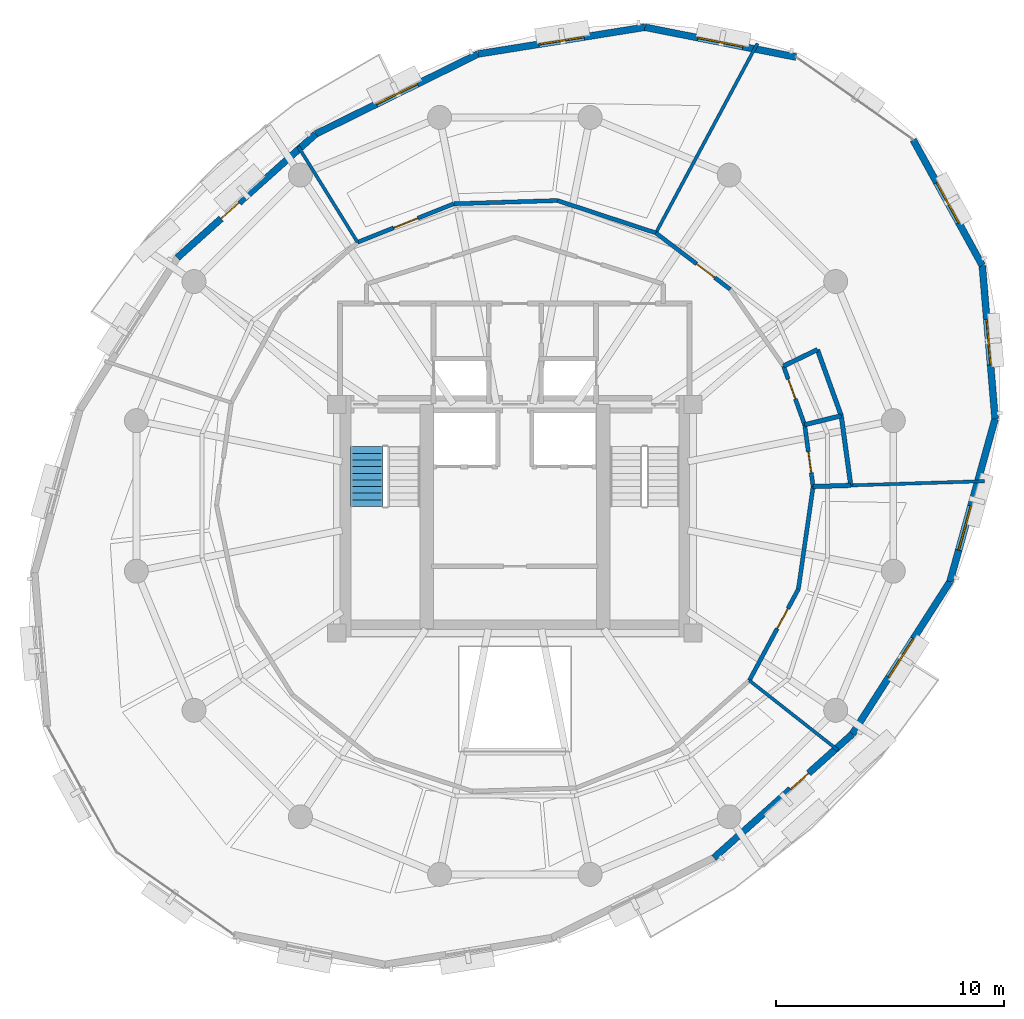
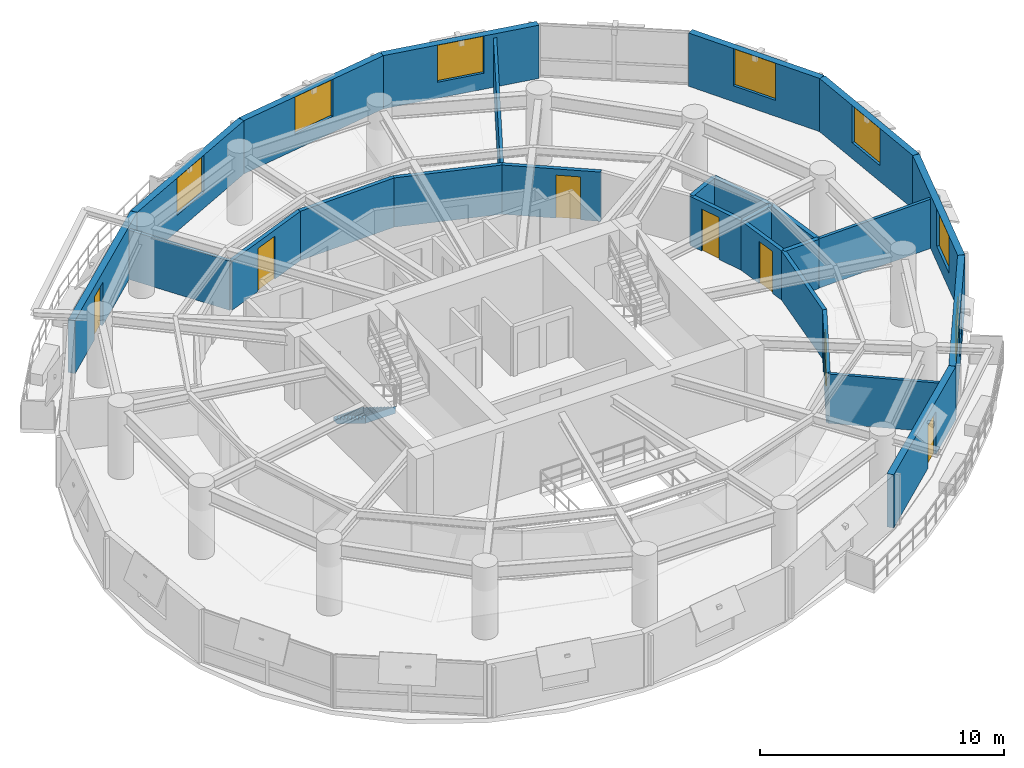
# One storey, part 9 of 12: 26 walls, 7 doors, 7 windows, 1 stair flight, 14 openings, 1 element without a shape of its own.
"""IFC4 building model written with IfcOpenShell, lengths in metres."""

from ifc_helpers import new_model, si_unit, direction, frame, frame_2d, origin, place, context, subcontext, project, spatial, polyline, rectangle, outline, extrude, material, layer, layer_set, type_object, element, fill, aggregate, save


model = new_model("IFC4")

# Units and contexts
model_context = context("Model", 3, precision=1e-05, world=origin(), true_north=direction((0.0, 1.0)))
body_context = subcontext(model_context, "Body", "Model", "MODEL_VIEW")
ifc_project = project(units=[si_unit("LENGTHUNIT", "METRE"), si_unit("AREAUNIT", "SQUARE_METRE"), si_unit("VOLUMEUNIT", "CUBIC_METRE"), si_unit("PLANEANGLEUNIT", "RADIAN"), si_unit("MASSUNIT", "GRAM", prefix="KILO"), si_unit("THERMODYNAMICTEMPERATUREUNIT", "KELVIN"), si_unit("POWERUNIT", "WATT")], contexts=[model_context])

# Site, building, storey
site_placement = place(None, origin())
site = spatial("IfcSite", under=ifc_project, at=site_placement, CompositionType="ELEMENT")
building_placement = place(site_placement, origin())
building = spatial("IfcBuilding", under=site, at=building_placement, Name="Ocrelia Relay Tower", CompositionType="ELEMENT")
storey_placement = place(building_placement, frame((0.0, 0.0, 206.0)))
storey = spatial("IfcBuildingStorey", under=building, at=storey_placement, Name="L50", CompositionType="ELEMENT", Elevation=206.0)

# Wall, opening, door
ifc_material_1 = material(Name="Gypsum Fireboard Partition EI60", Category="gypsum")
ifc_layer_1 = layer(ifc_material_1, 0.179931640625, Name="Gypsum Fireboard Partition EI60")
ifc_layer_set_1 = layer_set([ifc_layer_1], Name="Gypsum Fireboard Partition EI60")
wall_type_1 = type_object("IfcWallType", Name="W-CORR-EI60-180", PredefinedType="PARTITIONING", material=ifc_layer_set_1)
wall_1_placement = place(storey_placement, frame((47.063720703125, 26.410400390625, 0.0), z_axis=(0.0, 0.0, 1.0), x_axis=(-0.135802915103, 0.990735872092, 0.0)))
wall_1 = element("IfcWall", 1, at=wall_1_placement, inside=storey, type_object=wall_type_1, Name="L50 Staff Toilet Corridor Wall", PredefinedType="PARTITIONING", context=body_context, shape_type="SweptSolid", body=[
    extrude(rectangle(XDim=2.732666015625, YDim=0.179931640625, at=frame_2d((1.3662109375, 0.0))), origin(), (0.0, 0.0, 1.0), 2.4599609375),
])
opening_1_placement = place(wall_1_placement, frame((0.61572265625, 0.0, 0.0)))
opening_1 = element("IfcOpeningElement", 2, at=opening_1_placement, cuts=wall_1, Name="Opening D-WC92", PredefinedType="OPENING", context=body_context, shape_type="SweptSolid", body=[
    extrude(rectangle(XDim=0.919921875, YDim=2.10009765625, at=frame_2d((0.4599609375, 1.050048828125))), frame((0.0, 0.10009765625, 0.0), z_axis=(0.0, -1.0, 0.0), x_axis=(1.0, 0.0, 0.0)), (0.0, 0.0, 1.0), 0.199951171875),
])
ifc_material_2 = material(Name="Laminate washroom door", Category="wood")
door_type_1 = type_object("IfcDoorType", Name="DR-WC-920", OperationType="NOTDEFINED", PredefinedType="DOOR", material=ifc_material_2)
door_1_placement = place(opening_1_placement, origin())
door_1 = element("IfcDoor", 3, at=door_1_placement, inside=storey, type_object=door_type_1, Name="L50 Staff Toilet Door", OperationType="SINGLE_SWING_RIGHT", OverallHeight=2.10009765625, OverallWidth=0.919921875, PredefinedType="DOOR", context=body_context, shape_type="SweptSolid", body=[
    extrude(rectangle(XDim=0.919921875, YDim=2.10009765625, at=frame_2d((0.4599609375, 1.050048828125))), frame((0.0, 0.02490234375, 0.0), z_axis=(0.0, -1.0, 0.0), x_axis=(1.0, 0.0, 0.0)), (0.0, 0.0, 1.0), 0.050048828125),
])
fill(opening_1, door_1)

wall_2_placement = place(storey_placement, frame((46.692626953125, 29.11767578125, 0.0), z_axis=(0.0, 0.0, 1.0), x_axis=(-0.338735288425, 0.940881716464, 0.0)))
wall_2 = element("IfcWall", 4, at=wall_2_placement, inside=storey, type_object=wall_type_1, Name="L50 Accessible Toilet Corridor Wall", PredefinedType="PARTITIONING", context=body_context, shape_type="SweptSolid", body=[
    extrude(rectangle(XDim=2.732421875, YDim=0.179931640625, at=frame_2d((1.3662109375, 0.0))), origin(), (0.0, 0.0, 1.0), 2.4599609375),
])
opening_2_placement = place(wall_2_placement, frame((1.19677734375, 0.0, 0.0)))
opening_2 = element("IfcOpeningElement", 5, at=opening_2_placement, cuts=wall_2, Name="Opening D-WC92", PredefinedType="OPENING", context=body_context, shape_type="SweptSolid", body=[
    extrude(rectangle(XDim=0.919921875, YDim=2.10009765625, at=frame_2d((0.4599609375, 1.050048828125))), frame((0.0, 0.10009765625, 0.0), z_axis=(0.0, -1.0, 0.0), x_axis=(1.0, 0.0, 0.0)), (0.0, 0.0, 1.0), 0.199951171875),
])
door_2_placement = place(opening_2_placement, origin())
door_2 = element("IfcDoor", 6, at=door_2_placement, inside=storey, type_object=door_type_1, Name="L50 Accessible Toilet Door", OperationType="SINGLE_SWING_LEFT", OverallHeight=2.10009765625, OverallWidth=0.919921875, PredefinedType="DOOR", context=body_context, shape_type="SweptSolid", body=[
    extrude(rectangle(XDim=0.919921875, YDim=2.10009765625, at=frame_2d((0.4599609375, 1.050048828125))), frame((0.0, 0.02490234375, 0.0), z_axis=(0.0, -1.0, 0.0), x_axis=(1.0, 0.0, 0.0)), (0.0, 0.0, 1.0), 0.050048828125),
])
fill(opening_2, door_2)

wall_3_placement = place(storey_placement, frame((43.433349609375, 35.04638671875, 0.0), z_axis=(0.0, 0.0, 1.0), x_axis=(-0.796540561183, 0.604585092762, 0.0)))
wall_3 = element("IfcWall", 7, at=wall_3_placement, inside=storey, type_object=wall_type_1, Name="L50 Equipment Staging Store Corridor Partition 2", PredefinedType="PARTITIONING", context=body_context, shape_type="SweptSolid", body=[
    extrude(rectangle(XDim=4.089111328125, YDim=0.179931640625, at=frame_2d((2.04443359375, 0.0))), origin(), (0.0, 0.0, 1.0), 2.4599609375),
])
opening_3_placement = place(wall_3_placement, frame((0.847412109375, 0.0, 0.0)))
opening_3 = element("IfcOpeningElement", 8, at=opening_3_placement, cuts=wall_3, Name="Opening D-RM100", PredefinedType="OPENING", context=body_context, shape_type="SweptSolid", body=[
    extrude(rectangle(XDim=1.0, YDim=2.14990234375, at=frame_2d((0.5, 1.074951171875))), frame((0.0, 0.10009765625, 0.0), z_axis=(0.0, -1.0, 0.0), x_axis=(1.0, 0.0, 0.0)), (0.0, 0.0, 1.0), 0.199951171875),
])
ifc_material_3 = material(Name="Acoustic oak veneer fire door", Category="wood")
door_type_2 = type_object("IfcDoorType", Name="DR-ROOM-FD60-1000", OperationType="NOTDEFINED", PredefinedType="DOOR", material=ifc_material_3)
door_3_placement = place(opening_3_placement, origin())
door_3 = element("IfcDoor", 9, at=door_3_placement, inside=storey, type_object=door_type_2, Name="L50 Equipment Staging Store Entrance Door", OperationType="SINGLE_SWING_RIGHT", OverallHeight=2.14990234375, OverallWidth=1.0, PredefinedType="DOOR", context=body_context, shape_type="SweptSolid", body=[
    extrude(rectangle(XDim=1.0, YDim=2.14990234375, at=frame_2d((0.5, 1.074951171875))), frame((0.0, 0.02490234375, 0.0), z_axis=(0.0, -1.0, 0.0), x_axis=(1.0, 0.0, 0.0)), (0.0, 0.0, 1.0), 0.050048828125),
])
fill(opening_3, door_3)

# Walls
wall_4_placement = place(storey_placement, frame((40.17626953125, 37.5185546875, 0.0), z_axis=(0.0, 0.0, 1.0), x_axis=(-0.949971574886, 0.312336368212, 0.0)))
element("IfcWall", 10, at=wall_4_placement, inside=storey, type_object=wall_type_1, Name="L50 Cloud Engineering Workspace Corridor Partition 1", PredefinedType="PARTITIONING", context=body_context, shape_type="SweptSolid", body=[
    extrude(rectangle(XDim=4.5390625, YDim=0.179931640625, at=frame_2d((2.26953125, 0.0))), origin(), (0.0, 0.0, 1.0), 2.4599609375),
])
wall_5_placement = place(storey_placement, frame((35.8642578125, 38.936279296875, 0.0), z_axis=(0.0, 0.0, 1.0), x_axis=(-0.999506603808, -0.031409376702, 0.0)))
element("IfcWall", 11, at=wall_5_placement, inside=storey, type_object=wall_type_1, Name="L50 Cloud Engineering Workspace Corridor Partition 2", PredefinedType="PARTITIONING", context=body_context, shape_type="SweptSolid", body=[
    extrude(rectangle(XDim=4.539306640625, YDim=0.179931640625, at=frame_2d((2.26953125, 0.0))), origin(), (0.0, 0.0, 1.0), 2.4599609375),
])

# Wall, opening, door
wall_6_placement = place(storey_placement, frame((31.3271484375, 38.793701171875, 0.0), z_axis=(0.0, 0.0, 1.0), x_axis=(-0.928491528262, -0.371353580763, 0.0)))
wall_6 = element("IfcWall", 12, at=wall_6_placement, inside=storey, type_object=wall_type_1, Name="L50 Cloud Engineering Workspace Corridor Partition 3", PredefinedType="PARTITIONING", context=body_context, shape_type="SweptSolid", body=[
    extrude(rectangle(XDim=4.538818359375, YDim=0.179931640625, at=frame_2d((2.26953125, 0.0))), origin(), (0.0, 0.0, 1.0), 2.4599609375),
])
opening_4_placement = place(wall_6_placement, frame((1.694580078125, 0.0, 0.0)))
opening_4 = element("IfcOpeningElement", 13, at=opening_4_placement, cuts=wall_6, Name="Opening D-RM115", PredefinedType="OPENING", context=body_context, shape_type="SweptSolid", body=[
    extrude(rectangle(XDim=1.14990234375, YDim=2.14990234375, at=frame_2d((0.574951171875, 1.074951171875))), frame((0.0, 0.10009765625, 0.0), z_axis=(0.0, -1.0, 0.0), x_axis=(1.0, 0.0, 0.0)), (0.0, 0.0, 1.0), 0.199951171875),
])
ifc_material_4 = material(Name="Wide acoustic oak veneer fire door", Category="wood")
door_type_3 = type_object("IfcDoorType", Name="DR-ROOM-1150", OperationType="NOTDEFINED", PredefinedType="DOOR", material=ifc_material_4)
door_4_placement = place(opening_4_placement, origin())
door_4 = element("IfcDoor", 14, at=door_4_placement, inside=storey, type_object=door_type_3, Name="L50 Cloud Engineering Workspace Entrance Door", OperationType="SINGLE_SWING_LEFT", OverallHeight=2.14990234375, OverallWidth=1.14990234375, PredefinedType="DOOR", context=body_context, shape_type="SweptSolid", body=[
    extrude(rectangle(XDim=1.14990234375, YDim=2.14990234375, at=frame_2d((0.574951171875, 1.074951171875))), frame((0.0, 0.02490234375, 0.0), z_axis=(0.0, -1.0, 0.0), x_axis=(1.0, 0.0, 0.0)), (0.0, 0.0, 1.0), 0.050048828125),
])
fill(opening_4, door_4)

wall_7_placement = place(storey_placement, frame((44.27099609375, 17.91748046875, 0.0), z_axis=(0.0, 0.0, 1.0), x_axis=(0.472569149638, 0.881293593992, 0.0)))
wall_7 = element("IfcWall", 15, at=wall_7_placement, inside=storey, type_object=wall_type_1, Name="L50 Telemetry Operations Office Corridor Partition 1", PredefinedType="PARTITIONING", context=body_context, shape_type="SweptSolid", body=[
    extrude(rectangle(XDim=4.5390625, YDim=0.179931640625, at=frame_2d((2.26953125, 0.0))), origin(), (0.0, 0.0, 1.0), 2.4599609375),
])
opening_5_placement = place(wall_7_placement, frame((2.579345703125, 0.0, 0.0)))
opening_5 = element("IfcOpeningElement", 16, at=opening_5_placement, cuts=wall_7, Name="Opening D-RM100", PredefinedType="OPENING", context=body_context, shape_type="SweptSolid", body=[
    extrude(rectangle(XDim=1.0, YDim=2.14990234375, at=frame_2d((0.5, 1.074951171875))), frame((0.0, 0.10009765625, 0.0), z_axis=(0.0, -1.0, 0.0), x_axis=(1.0, 0.0, 0.0)), (0.0, 0.0, 1.0), 0.199951171875),
])
door_5_placement = place(opening_5_placement, origin())
door_5 = element("IfcDoor", 17, at=door_5_placement, inside=storey, type_object=door_type_2, Name="L50 Telemetry Operations Office Entrance Door", OperationType="SINGLE_SWING_RIGHT", OverallHeight=2.14990234375, OverallWidth=1.0, PredefinedType="DOOR", context=body_context, shape_type="SweptSolid", body=[
    extrude(rectangle(XDim=1.0, YDim=2.14990234375, at=frame_2d((0.5, 1.074951171875))), frame((0.0, 0.02490234375, 0.0), z_axis=(0.0, -1.0, 0.0), x_axis=(1.0, 0.0, 0.0)), (0.0, 0.0, 1.0), 0.050048828125),
])
fill(opening_5, door_5)

# Wall
wall_8_placement = place(storey_placement, frame((46.416015625, 21.917724609375, 0.0), z_axis=(0.0, 0.0, 1.0), x_axis=(0.142693812172, 0.989766879607, 0.0)))
element("IfcWall", 18, at=wall_8_placement, inside=storey, type_object=wall_type_1, Name="L50 Telemetry Operations Office Corridor Partition 2", PredefinedType="PARTITIONING", context=body_context, shape_type="SweptSolid", body=[
    extrude(rectangle(XDim=4.5390625, YDim=0.179931640625, at=frame_2d((2.26953125, 0.0))), origin(), (0.0, 0.0, 1.0), 2.4599609375),
])

# Wall, opening, window
ifc_material_5 = material(Name="Precast concrete C40/50 with oxide terracotta", Category="masonry")
ifc_layer_2 = layer(ifc_material_5, 0.300048828125, Name="Precast concrete C40/50 with oxide terracotta")
ifc_layer_set_2 = layer_set([ifc_layer_2], Name="Precast concrete C40/50 with oxide terracotta")
wall_type_2 = type_object("IfcWallType", Name="W-EXT-TERR-300", PredefinedType="SOLIDWALL", material=ifc_layer_set_2)
wall_9_placement = place(storey_placement, frame((46.3115234375, 45.22021484375, 0.0), z_axis=(0.0, 0.0, 1.0), x_axis=(-0.981100617883, 0.193498262496, 0.0)))
wall_9 = element("IfcWall", 19, at=wall_9_placement, inside=storey, type_object=wall_type_2, Name="L50 Oxide Terracotta Facade Wall 02", PredefinedType="SOLIDWALL", context=body_context, shape_type="SweptSolid", body=[
    extrude(rectangle(XDim=6.7451171875, YDim=0.300048828125, at=frame_2d((3.37255859375, 0.0))), origin(), (0.0, 0.0, 1.0), 2.659912109375),
])
opening_6_placement = place(wall_9_placement, frame((2.373046875, 0.0, 0.800048828125)))
opening_6 = element("IfcOpeningElement", 20, at=opening_6_placement, cuts=wall_9, Name="Opening W-03", PredefinedType="OPENING", context=body_context, shape_type="SweptSolid", body=[
    extrude(rectangle(XDim=2.0, YDim=1.85009765625, at=frame_2d((1.0, 0.925048828125))), frame((0.0, 0.16015625, 0.0), z_axis=(0.0, -1.0, 0.0), x_axis=(1.0, 0.0, 0.0)), (0.0, 0.0, 1.0), 0.320068359375),
])
ifc_material_6 = material(Name="Clear double-glazed low-E glass", Category="glass")
window_type = type_object("IfcWindowType", Name="WIN-Z3-2000x2200", PartitioningType="DOUBLE_PANEL_VERTICAL", PredefinedType="WINDOW", material=ifc_material_6)
window_1_placement = place(opening_6_placement, origin())
window_1 = element("IfcWindow", 21, at=window_1_placement, inside=storey, type_object=window_type, Name="L50 Facade Module Window 02", OverallHeight=1.85009765625, OverallWidth=2.0, PartitioningType="SINGLE_PANEL", PredefinedType="WINDOW", context=body_context, shape_type="SweptSolid", body=[
    extrude(rectangle(XDim=2.0, YDim=1.85009765625, at=frame_2d((1.0, 0.925048828125))), frame((0.0, 0.030029296875, 0.0), z_axis=(0.0, -1.0, 0.0), x_axis=(1.0, 0.0, 0.0)), (0.0, 0.0, 1.0), 0.06005859375),
])
fill(opening_6, window_1)

wall_10_placement = place(storey_placement, frame((39.69384765625, 46.525390625, 0.0), z_axis=(0.0, 0.0, 1.0), x_axis=(-0.987398789475, -0.158251794757, 0.0)))
wall_10 = element("IfcWall", 22, at=wall_10_placement, inside=storey, type_object=wall_type_2, Name="L50 Oxide Terracotta Facade Wall 03", PredefinedType="SOLIDWALL", context=body_context, shape_type="SweptSolid", body=[
    extrude(rectangle(XDim=7.3974609375, YDim=0.300048828125, at=frame_2d((3.69873046875, 0.0))), origin(), (0.0, 0.0, 1.0), 2.659912109375),
])
opening_7_placement = place(wall_10_placement, frame((2.698974609375, 0.0, 0.800048828125)))
opening_7 = element("IfcOpeningElement", 23, at=opening_7_placement, cuts=wall_10, Name="Opening W-03", PredefinedType="OPENING", context=body_context, shape_type="SweptSolid", body=[
    extrude(rectangle(XDim=2.0, YDim=1.85009765625, at=frame_2d((1.0, 0.925048828125))), frame((0.0, 0.16015625, 0.0), z_axis=(0.0, -1.0, 0.0), x_axis=(1.0, 0.0, 0.0)), (0.0, 0.0, 1.0), 0.320068359375),
])
window_2_placement = place(opening_7_placement, origin())
window_2 = element("IfcWindow", 24, at=window_2_placement, inside=storey, type_object=window_type, Name="L50 Facade Module Window 03", OverallHeight=1.85009765625, OverallWidth=2.0, PartitioningType="SINGLE_PANEL", PredefinedType="WINDOW", context=body_context, shape_type="SweptSolid", body=[
    extrude(rectangle(XDim=2.0, YDim=1.85009765625, at=frame_2d((1.0, 0.925048828125))), frame((0.0, 0.030029296875, 0.0), z_axis=(0.0, -1.0, 0.0), x_axis=(1.0, 0.0, 0.0)), (0.0, 0.0, 1.0), 0.06005859375),
])
fill(opening_7, window_2)

wall_11_placement = place(storey_placement, frame((32.3896484375, 45.354736328125, 0.0), z_axis=(0.0, 0.0, 1.0), x_axis=(-0.896932281423, -0.442167934773, 0.0)))
wall_11 = element("IfcWall", 25, at=wall_11_placement, inside=storey, type_object=wall_type_2, Name="L50 Oxide Terracotta Facade Wall 04", PredefinedType="SOLIDWALL", context=body_context, shape_type="SweptSolid", body=[
    extrude(rectangle(XDim=7.92724609375, YDim=0.300048828125, at=frame_2d((3.963623046875, 0.0))), origin(), (0.0, 0.0, 1.0), 2.659912109375),
])
opening_8_placement = place(wall_11_placement, frame((2.964111328125, 0.0, 0.800048828125)))
opening_8 = element("IfcOpeningElement", 26, at=opening_8_placement, cuts=wall_11, Name="Opening W-03", PredefinedType="OPENING", context=body_context, shape_type="SweptSolid", body=[
    extrude(rectangle(XDim=2.0, YDim=1.85009765625, at=frame_2d((1.0, 0.925048828125))), frame((0.0, 0.16015625, 0.0), z_axis=(0.0, -1.0, 0.0), x_axis=(1.0, 0.0, 0.0)), (0.0, 0.0, 1.0), 0.320068359375),
])
window_3_placement = place(opening_8_placement, origin())
window_3 = element("IfcWindow", 27, at=window_3_placement, inside=storey, type_object=window_type, Name="L50 Facade Module Window 04", OverallHeight=1.85009765625, OverallWidth=2.0, PartitioningType="SINGLE_PANEL", PredefinedType="WINDOW", context=body_context, shape_type="SweptSolid", body=[
    extrude(rectangle(XDim=2.0, YDim=1.85009765625, at=frame_2d((1.0, 0.925048828125))), frame((0.0, 0.030029296875, 0.0), z_axis=(0.0, -1.0, 0.0), x_axis=(1.0, 0.0, 0.0)), (0.0, 0.0, 1.0), 0.06005859375),
])
fill(opening_8, window_3)

# Wall, opening, door
wall_12_placement = place(storey_placement, frame((25.279541015625, 41.849609375, 0.0), z_axis=(0.0, 0.0, 1.0), x_axis=(-0.745478547566, -0.666529620586, 0.0)))
wall_12 = element("IfcWall", 28, at=wall_12_placement, inside=storey, type_object=wall_type_2, Name="L50 Oxide Terracotta Facade Wall 05", PredefinedType="SOLIDWALL", context=body_context, shape_type="SweptSolid", body=[
    extrude(rectangle(XDim=8.126708984375, YDim=0.300048828125, at=frame_2d((4.0634765625, 0.0))), origin(), (0.0, 0.0, 1.0), 2.659912109375),
])
opening_9_placement = place(wall_12_placement, frame((4.510009765625, 0.0, 0.0)))
opening_9 = element("IfcOpeningElement", 29, at=opening_9_placement, cuts=wall_12, Name="Opening DB-105", PredefinedType="OPENING", context=body_context, shape_type="SweptSolid", body=[
    extrude(rectangle(XDim=1.050048828125, YDim=2.14990234375, at=frame_2d((0.52490234375, 1.074951171875))), frame((0.0, 0.16015625, 0.0), z_axis=(0.0, -1.0, 0.0), x_axis=(1.0, 0.0, 0.0)), (0.0, 0.0, 1.0), 0.320068359375),
])
ifc_material_7 = material(Name="Thermally broken aluminium and clear glass", Category="aluminium")
door_type_4 = type_object("IfcDoorType", Name="DR-BALC-1050", OperationType="NOTDEFINED", PredefinedType="DOOR", material=ifc_material_7)
door_6_placement = place(opening_9_placement, origin())
door_6 = element("IfcDoor", 30, at=door_6_placement, inside=storey, type_object=door_type_4, Name="L50 Planted Loggia Balcony Door B1", OperationType="SINGLE_SWING_LEFT", OverallHeight=2.14990234375, OverallWidth=1.050048828125, PredefinedType="DOOR", context=body_context, shape_type="SweptSolid", body=[
    extrude(rectangle(XDim=1.050048828125, YDim=2.14990234375, at=frame_2d((0.52490234375, 1.074951171875))), frame((0.0, 0.02490234375, 0.0), z_axis=(0.0, -1.0, 0.0), x_axis=(1.0, 0.0, 0.0)), (0.0, 0.0, 1.0), 0.050048828125),
])
fill(opening_9, door_6)

wall_13_placement = place(storey_placement, frame((42.720458984375, 10.150390625, 0.0), z_axis=(0.0, 0.0, 1.0), x_axis=(0.745478547566, 0.666529620586, 0.0)))
wall_13 = element("IfcWall", 31, at=wall_13_placement, inside=storey, type_object=wall_type_2, Name="L50 Oxide Terracotta Facade Wall 14", PredefinedType="SOLIDWALL", context=body_context, shape_type="SweptSolid", body=[
    extrude(rectangle(XDim=8.126708984375, YDim=0.300048828125, at=frame_2d((4.0634765625, 0.0))), origin(), (0.0, 0.0, 1.0), 2.659912109375),
])
opening_10_placement = place(wall_13_placement, frame((4.510009765625, 0.0, 0.0)))
opening_10 = element("IfcOpeningElement", 32, at=opening_10_placement, cuts=wall_13, Name="Opening DB-105", PredefinedType="OPENING", context=body_context, shape_type="SweptSolid", body=[
    extrude(rectangle(XDim=1.050048828125, YDim=2.14990234375, at=frame_2d((0.52490234375, 1.074951171875))), frame((0.0, 0.16015625, 0.0), z_axis=(0.0, -1.0, 0.0), x_axis=(1.0, 0.0, 0.0)), (0.0, 0.0, 1.0), 0.320068359375),
])
door_7_placement = place(opening_10_placement, origin())
door_7 = element("IfcDoor", 33, at=door_7_placement, inside=storey, type_object=door_type_4, Name="L50 Planted Loggia Balcony Door B2", OperationType="SINGLE_SWING_LEFT", OverallHeight=2.14990234375, OverallWidth=1.050048828125, PredefinedType="DOOR", context=body_context, shape_type="SweptSolid", body=[
    extrude(rectangle(XDim=1.050048828125, YDim=2.14990234375, at=frame_2d((0.52490234375, 1.074951171875))), frame((0.0, 0.02490234375, 0.0), z_axis=(0.0, -1.0, 0.0), x_axis=(1.0, 0.0, 0.0)), (0.0, 0.0, 1.0), 0.050048828125),
])
fill(opening_10, door_7)

# Wall, opening, window
wall_14_placement = place(storey_placement, frame((48.77880859375, 15.567138671875, 0.0), z_axis=(0.0, 0.0, 1.0), x_axis=(0.539397988858, 0.842050954287, 0.0)))
wall_14 = element("IfcWall", 34, at=wall_14_placement, inside=storey, type_object=wall_type_2, Name="L50 Oxide Terracotta Facade Wall 15", PredefinedType="SOLIDWALL", context=body_context, shape_type="SweptSolid", body=[
    extrude(rectangle(XDim=7.92724609375, YDim=0.300048828125, at=frame_2d((3.963623046875, 0.0))), origin(), (0.0, 0.0, 1.0), 2.659912109375),
])
opening_11_placement = place(wall_14_placement, frame((2.964111328125, 0.0, 0.800048828125)))
opening_11 = element("IfcOpeningElement", 35, at=opening_11_placement, cuts=wall_14, Name="Opening W-03", PredefinedType="OPENING", context=body_context, shape_type="SweptSolid", body=[
    extrude(rectangle(XDim=2.0, YDim=1.85009765625, at=frame_2d((1.0, 0.925048828125))), frame((0.0, 0.16015625, 0.0), z_axis=(0.0, -1.0, 0.0), x_axis=(1.0, 0.0, 0.0)), (0.0, 0.0, 1.0), 0.320068359375),
])
window_4_placement = place(opening_11_placement, origin())
window_4 = element("IfcWindow", 36, at=window_4_placement, inside=storey, type_object=window_type, Name="L50 Facade Module Window 15", OverallHeight=1.85009765625, OverallWidth=2.0, PartitioningType="SINGLE_PANEL", PredefinedType="WINDOW", context=body_context, shape_type="SweptSolid", body=[
    extrude(rectangle(XDim=2.0, YDim=1.85009765625, at=frame_2d((1.0, 0.925048828125))), frame((0.0, 0.030029296875, 0.0), z_axis=(0.0, -1.0, 0.0), x_axis=(1.0, 0.0, 0.0)), (0.0, 0.0, 1.0), 0.06005859375),
])
fill(opening_11, window_4)

wall_15_placement = place(storey_placement, frame((53.0546875, 22.2421875, 0.0), z_axis=(0.0, 0.0, 1.0), x_axis=(0.267289798327, 0.963616191079, 0.0)))
wall_15 = element("IfcWall", 37, at=wall_15_placement, inside=storey, type_object=wall_type_2, Name="L50 Oxide Terracotta Facade Wall 16", PredefinedType="SOLIDWALL", context=body_context, shape_type="SweptSolid", body=[
    extrude(rectangle(XDim=7.3974609375, YDim=0.300048828125, at=frame_2d((3.69873046875, 0.0))), origin(), (0.0, 0.0, 1.0), 2.659912109375),
])
opening_12_placement = place(wall_15_placement, frame((1.43896484375, 0.0, 0.800048828125)))
opening_12 = element("IfcOpeningElement", 38, at=opening_12_placement, cuts=wall_15, Name="Opening W-03", PredefinedType="OPENING", context=body_context, shape_type="SweptSolid", body=[
    extrude(rectangle(XDim=2.0, YDim=1.85009765625, at=frame_2d((1.0, 0.925048828125))), frame((0.0, 0.16015625, 0.0), z_axis=(0.0, -1.0, 0.0), x_axis=(1.0, 0.0, 0.0)), (0.0, 0.0, 1.0), 0.320068359375),
])
window_5_placement = place(opening_12_placement, origin())
window_5 = element("IfcWindow", 39, at=window_5_placement, inside=storey, type_object=window_type, Name="L50 Facade Module Window 16", OverallHeight=1.85009765625, OverallWidth=2.0, PartitioningType="SINGLE_PANEL", PredefinedType="WINDOW", context=body_context, shape_type="SweptSolid", body=[
    extrude(rectangle(XDim=2.0, YDim=1.85009765625, at=frame_2d((1.0, 0.925048828125))), frame((0.0, 0.030029296875, 0.0), z_axis=(0.0, -1.0, 0.0), x_axis=(1.0, 0.0, 0.0)), (0.0, 0.0, 1.0), 0.06005859375),
])
fill(opening_12, window_5)

wall_16_placement = place(storey_placement, frame((55.031982421875, 29.37060546875, 0.0), z_axis=(0.0, 0.0, 1.0), x_axis=(-0.082925657115, 0.99655573622, 0.0)))
wall_16 = element("IfcWall", 40, at=wall_16_placement, inside=storey, type_object=wall_type_2, Name="L50 Oxide Terracotta Facade Wall 17", PredefinedType="SOLIDWALL", context=body_context, shape_type="SweptSolid", body=[
    extrude(rectangle(XDim=6.744873046875, YDim=0.300048828125, at=frame_2d((3.37255859375, 0.0))), origin(), (0.0, 0.0, 1.0), 2.659912109375),
])
opening_13_placement = place(wall_16_placement, frame((2.373046875, 0.0, 0.800048828125)))
opening_13 = element("IfcOpeningElement", 41, at=opening_13_placement, cuts=wall_16, Name="Opening W-03", PredefinedType="OPENING", context=body_context, shape_type="SweptSolid", body=[
    extrude(rectangle(XDim=2.0, YDim=1.85009765625, at=frame_2d((1.0, 0.925048828125))), frame((0.0, 0.16015625, 0.0), z_axis=(0.0, -1.0, 0.0), x_axis=(1.0, 0.0, 0.0)), (0.0, 0.0, 1.0), 0.320068359375),
])
window_6_placement = place(opening_13_placement, origin())
window_6 = element("IfcWindow", 42, at=window_6_placement, inside=storey, type_object=window_type, Name="L50 Facade Module Window 17", OverallHeight=1.85009765625, OverallWidth=2.0, PartitioningType="SINGLE_PANEL", PredefinedType="WINDOW", context=body_context, shape_type="SweptSolid", body=[
    extrude(rectangle(XDim=2.0, YDim=1.85009765625, at=frame_2d((1.0, 0.925048828125))), frame((0.0, 0.030029296875, 0.0), z_axis=(0.0, -1.0, 0.0), x_axis=(1.0, 0.0, 0.0)), (0.0, 0.0, 1.0), 0.06005859375),
])
fill(opening_13, window_6)

wall_17_placement = place(storey_placement, frame((54.47265625, 36.09228515625, 0.0), z_axis=(0.0, 0.0, 1.0), x_axis=(-0.482042555888, 0.876147803919, 0.0)))
wall_17 = element("IfcWall", 43, at=wall_17_placement, inside=storey, type_object=wall_type_2, Name="L50 Oxide Terracotta Facade Wall 18", PredefinedType="SOLIDWALL", context=body_context, shape_type="SweptSolid", body=[
    extrude(rectangle(XDim=6.28271484375, YDim=0.300048828125, at=frame_2d((3.141357421875, 0.0))), origin(), (0.0, 0.0, 1.0), 2.659912109375),
])
opening_14_placement = place(wall_17_placement, frame((2.14111328125, 0.0, 0.800048828125)))
opening_14 = element("IfcOpeningElement", 44, at=opening_14_placement, cuts=wall_17, Name="Opening W-03", PredefinedType="OPENING", context=body_context, shape_type="SweptSolid", body=[
    extrude(rectangle(XDim=2.0, YDim=1.85009765625, at=frame_2d((1.0, 0.925048828125))), frame((0.0, 0.16015625, 0.0), z_axis=(0.0, -1.0, 0.0), x_axis=(1.0, 0.0, 0.0)), (0.0, 0.0, 1.0), 0.320068359375),
])
window_7_placement = place(opening_14_placement, origin())
window_7 = element("IfcWindow", 45, at=window_7_placement, inside=storey, type_object=window_type, Name="L50 Facade Module Window 18", OverallHeight=1.85009765625, OverallWidth=2.0, PartitioningType="SINGLE_PANEL", PredefinedType="WINDOW", context=body_context, shape_type="SweptSolid", body=[
    extrude(rectangle(XDim=2.0, YDim=1.85009765625, at=frame_2d((1.0, 0.925048828125))), frame((0.0, 0.030029296875, 0.0), z_axis=(0.0, -1.0, 0.0), x_axis=(1.0, 0.0, 0.0)), (0.0, 0.0, 1.0), 0.06005859375),
])
fill(opening_14, window_7)

# Walls
ifc_material_8 = material(Name="Acoustic Fireboard Partition EI60", Category="gypsum")
ifc_layer_3 = layer(ifc_material_8, 0.139892578125, Name="Acoustic Fireboard Partition EI60")
ifc_layer_set_3 = layer_set([ifc_layer_3], Name="Acoustic Fireboard Partition EI60")
wall_type_3 = type_object("IfcWallType", Name="W-PART-140", PredefinedType="PARTITIONING", material=ifc_layer_set_3)
wall_18_placement = place(storey_placement, frame((48.712646484375, 26.46240234375, 0.0), z_axis=(0.0, 0.0, 1.0), x_axis=(0.999506368403, 0.031416866841, 0.0)))
element("IfcWall", 46, at=wall_18_placement, inside=storey, type_object=wall_type_3, Name="L50 Equipment Staging Store Radial Partition", PredefinedType="PARTITIONING", context=body_context, shape_type="SweptSolid", body=[
    extrude(rectangle(XDim=5.859375, YDim=0.139892578125, at=frame_2d((2.9296875, 0.0))), origin(), (0.0, 0.0, 1.0), 2.4599609375),
])
wall_19_placement = place(storey_placement, frame((40.17626953125, 37.5185546875, 0.0), z_axis=(0.0, 0.0, 1.0), x_axis=(0.472554504692, 0.881301446779, 0.0)))
element("IfcWall", 47, at=wall_19_placement, inside=storey, type_object=wall_type_3, Name="L50 Equipment Staging Store Radial Partition", PredefinedType="PARTITIONING", context=body_context, shape_type="SweptSolid", body=[
    extrude(rectangle(XDim=9.416259765625, YDim=0.139892578125, at=frame_2d((4.7080078125, 0.0))), origin(), (0.0, 0.0, 1.0), 2.4599609375),
])
wall_20_placement = place(storey_placement, frame((27.11279296875, 37.108154296875, 0.0), z_axis=(0.0, 0.0, 1.0), x_axis=(-0.52699889077, 0.849865971273, 0.0)))
element("IfcWall", 48, at=wall_20_placement, inside=storey, type_object=wall_type_3, Name="L50 Cloud Engineering Workspace Radial Partition", PredefinedType="PARTITIONING", context=body_context, shape_type="SweptSolid", body=[
    extrude(rectangle(XDim=4.943115234375, YDim=0.139892578125, at=frame_2d((2.4716796875, 0.0))), origin(), (0.0, 0.0, 1.0), 2.4599609375),
])
wall_21_placement = place(storey_placement, frame((44.27099609375, 17.91748046875, 0.0), z_axis=(0.0, 0.0, 1.0), x_axis=(0.785869116864, -0.618392861504, 0.0)))
element("IfcWall", 49, at=wall_21_placement, inside=storey, type_object=wall_type_3, Name="L50 Optical Switching Hall B Radial Partition", PredefinedType="PARTITIONING", context=body_context, shape_type="SweptSolid", body=[
    extrude(rectangle(XDim=4.943359375, YDim=0.139892578125, at=frame_2d((2.4716796875, 0.0))), origin(), (0.0, 0.0, 1.0), 2.4599609375),
])
ifc_material_9 = material(Name="Moisture-Resistant Fireboard Chase Wall EI60", Category="gypsum")
ifc_layer_4 = layer(ifc_material_9, 0.199951171875, Name="Moisture-Resistant Fireboard Chase Wall EI60")
ifc_layer_set_4 = layer_set([ifc_layer_4], Name="Moisture-Resistant Fireboard Chase Wall EI60")
wall_type_4 = type_object("IfcWallType", Name="W-PLUMB-200", PredefinedType="PLUMBINGWALL", material=ifc_layer_set_4)
wall_22_placement = place(storey_placement, frame((47.063720703125, 26.410400390625, 0.0), z_axis=(0.0, 0.0, 1.0), x_axis=(0.999503083643, 0.031521195857, 0.0)))
element("IfcWall", 50, at=wall_22_placement, inside=storey, type_object=wall_type_4, Name="L50 Staff Toilet Plumbing Radial Wall", PredefinedType="PLUMBINGWALL", context=body_context, shape_type="SweptSolid", body=[
    extrude(rectangle(XDim=1.649658203125, YDim=0.199951171875, at=frame_2d((0.82470703125, 0.0))), origin(), (0.0, 0.0, 1.0), 2.4599609375),
])
wall_23_placement = place(storey_placement, frame((46.692626953125, 29.11767578125, 0.0), z_axis=(0.0, 0.0, 1.0), x_axis=(0.9711436368, 0.238495359921, 0.0)))
element("IfcWall", 51, at=wall_23_placement, inside=storey, type_object=wall_type_4, Name="L50 Staff Toilet Plumbing Radial Wall", PredefinedType="PLUMBINGWALL", context=body_context, shape_type="SweptSolid", body=[
    extrude(rectangle(XDim=1.650146484375, YDim=0.199951171875, at=frame_2d((0.8251953125, 0.0))), origin(), (0.0, 0.0, 1.0), 2.4599609375),
])
wall_24_placement = place(storey_placement, frame((48.712646484375, 26.46240234375, 0.0), z_axis=(0.0, 0.0, 1.0), x_axis=(-0.135665481922, 0.990754700728, 0.0)))
element("IfcWall", 52, at=wall_24_placement, inside=storey, type_object=wall_type_4, Name="L50 Staff Toilet Back Plumbing Wall", PredefinedType="PLUMBINGWALL", context=body_context, shape_type="SweptSolid", body=[
    extrude(rectangle(XDim=3.077392578125, YDim=0.199951171875, at=frame_2d((1.53857421875, 0.0))), origin(), (0.0, 0.0, 1.0), 2.4599609375),
])
wall_25_placement = place(storey_placement, frame((45.76708984375, 31.6884765625, 0.0), z_axis=(0.0, 0.0, 1.0), x_axis=(0.900353783818, 0.435158665277, 0.0)))
element("IfcWall", 53, at=wall_25_placement, inside=storey, type_object=wall_type_4, Name="L50 Accessible Toilet Plumbing Radial Wall", PredefinedType="PLUMBINGWALL", context=body_context, shape_type="SweptSolid", body=[
    extrude(rectangle(XDim=1.64990234375, YDim=0.199951171875, at=frame_2d((0.824951171875, 0.0))), origin(), (0.0, 0.0, 1.0), 2.4599609375),
])
wall_26_placement = place(storey_placement, frame((48.295166015625, 29.51123046875, 0.0), z_axis=(0.0, 0.0, 1.0), x_axis=(-0.338772846629, 0.94086819395, 0.0)))
element("IfcWall", 54, at=wall_26_placement, inside=storey, type_object=wall_type_4, Name="L50 Accessible Toilet Back Plumbing Wall", PredefinedType="PLUMBINGWALL", context=body_context, shape_type="SweptSolid", body=[
    extrude(rectangle(XDim=3.0771484375, YDim=0.199951171875, at=frame_2d((1.53857421875, 0.0))), origin(), (0.0, 0.0, 1.0), 2.4599609375),
])

# Stair, stair flight
ifc_material_10 = material(Name="Concrete C50/60", Category="concrete")
stair_type = type_object("IfcStairType", Name="ST-DL-1420-R180", PredefinedType="HALF_TURN_STAIR", material=ifc_material_10)
stair_placement = place(storey_placement, origin())
stair = element("IfcStair", 55, at=stair_placement, inside=storey, type_object=stair_type, Name="L50 West Core Exit Stair ST1", PredefinedType="HALF_TURN_STAIR")
stair_flight_type = type_object("IfcStairFlightType", Name="STF-DL-1420-R180", PredefinedType="STRAIGHT", material=ifc_material_10)
stair_flight_placement = place(storey_placement, frame((27.52001953125, 28.14990234375, 0.0), z_axis=(0.0, 0.0, 1.0), x_axis=(0.0, -1.0, 0.0)))
stair_flight = element("IfcStairFlight", 56, at=stair_flight_placement, type_object=stair_flight_type, Name="ST1 flight 1", NumberOfRisers=10, NumberOfTreads=9, PredefinedType="STRAIGHT", RiserHeight=0.18, TreadLength=0.29, context=body_context, shape_type="SweptSolid", body=[
    extrude(outline(polyline([(-0.008056640625, 0.0), (-0.008056640625, 0.179931640625), (0.0, 0.179931640625), (0.2900390625, 0.179931640625), (0.2900390625, 0.360107421875), (0.580078125, 0.360107421875), (0.580078125, 0.5400390625), (0.8701171875, 0.5400390625), (0.8701171875, 0.719970703125), (1.159912109375, 0.719970703125), (1.159912109375, 0.89990234375), (1.449951171875, 0.89990234375), (1.449951171875, 1.080078125), (1.739990234375, 1.080078125), (1.739990234375, 1.260009765625), (2.030029296875, 1.260009765625), (2.030029296875, 1.43994140625), (2.320068359375, 1.43994140625), (2.320068359375, 1.6201171875), (2.610107421875, 1.6201171875), (2.610107421875, 1.800048828125), (2.617919921875, 1.800048828125), (2.617919921875, 1.443603515625), (0.2841796875, 0.0), (-0.008056640625, 0.0)])), frame((0.0, 0.7099609375, 0.0), z_axis=(0.0, -1.0, 0.0), x_axis=(1.0, 0.0, 0.0)), (0.0, 0.0, 1.0), 1.419921875),
])
aggregate(stair, [stair_flight])

save(model, "model.ifc")
